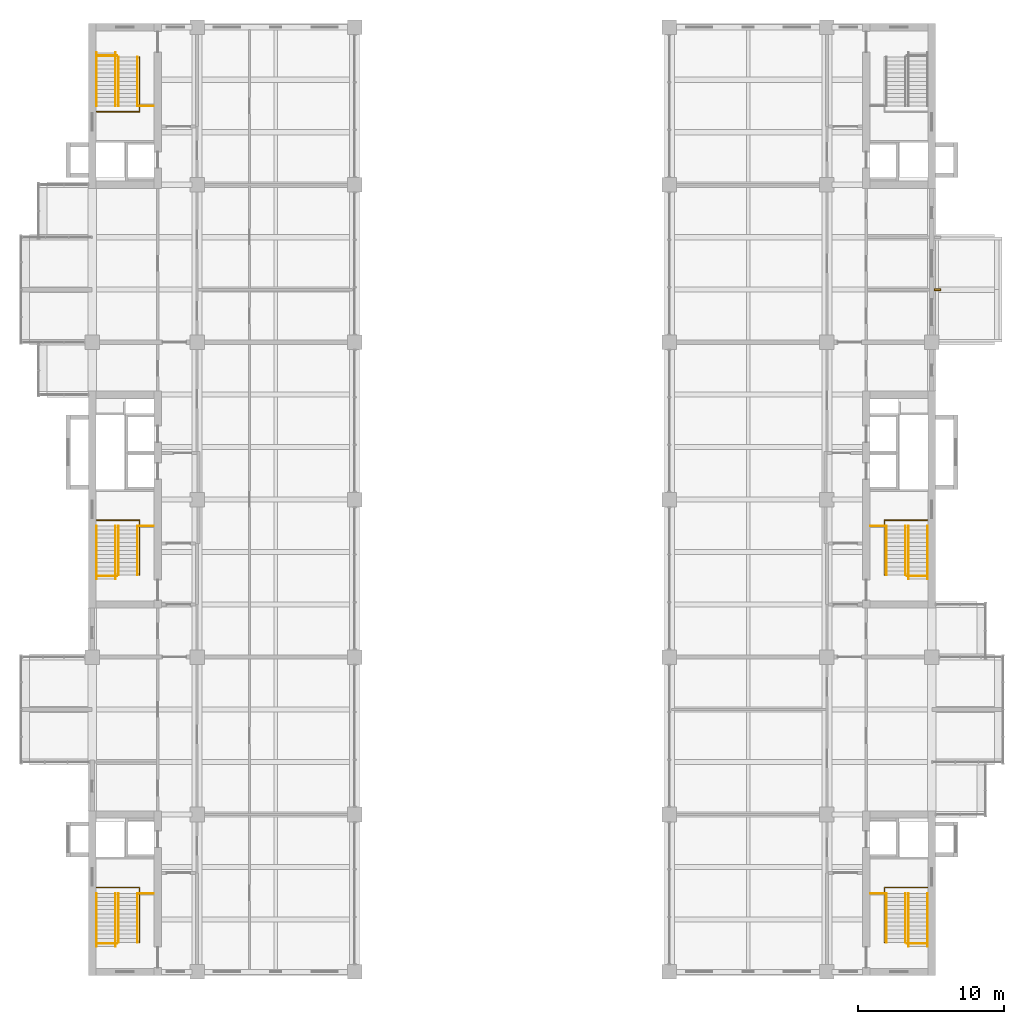
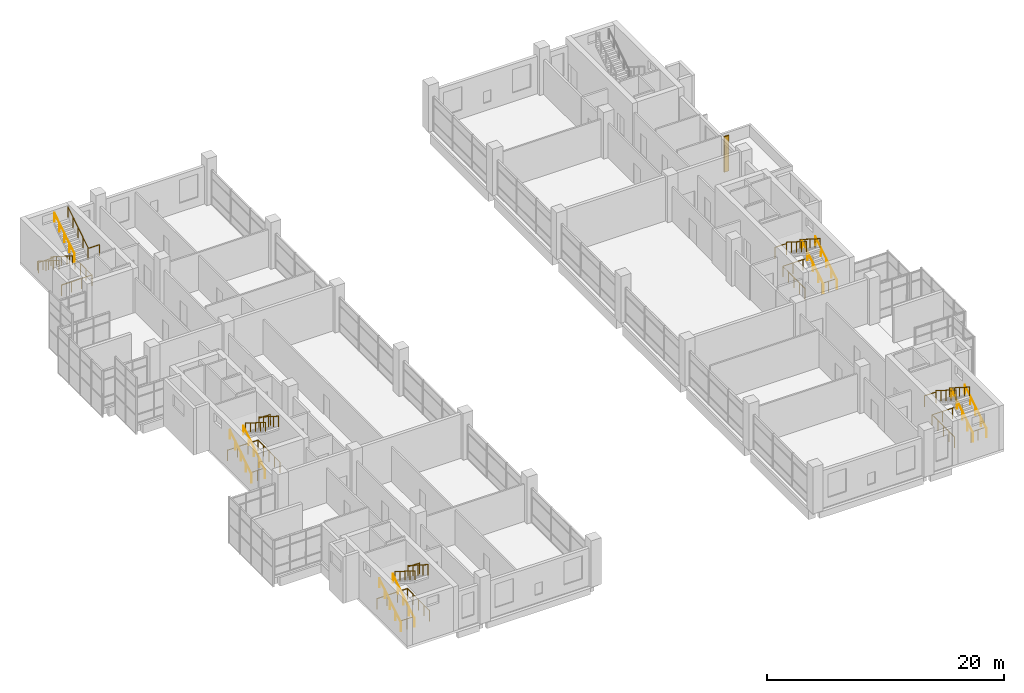
# One storey, part 29 of 30: 35 railings, 1 shading device.
"""IFC4 building model written with IfcOpenShell, lengths in metres."""

from ifc_helpers import new_model, si_unit, direction, frame, origin, origin_2d, place, context, subcontext, project, spatial, rectangle, circle, extrude, material, type_object, element, save


model = new_model("IFC4")

# Units and contexts
model_context = context("Model", 3, precision=1e-05, world=origin(), true_north=direction((0.0, 1.0)))
body_context = subcontext(model_context, "Body", "Model", "MODEL_VIEW")
ifc_project = project(units=[si_unit("LENGTHUNIT", "METRE"), si_unit("AREAUNIT", "SQUARE_METRE"), si_unit("VOLUMEUNIT", "CUBIC_METRE"), si_unit("PLANEANGLEUNIT", "RADIAN"), si_unit("MASSUNIT", "GRAM", prefix="KILO")], contexts=[model_context])

# Site, building, storey
site_placement = place(None, origin())
site = spatial("IfcSite", under=ifc_project, at=site_placement, CompositionType="ELEMENT")
building_placement = place(site_placement, origin())
building = spatial("IfcBuilding", under=site, at=building_placement, Name="Basin Gate Institute", CompositionType="ELEMENT")
storey_placement = place(building_placement, frame((0.0, 0.0, 36.60009765625)))
storey = spatial("IfcBuildingStorey", under=building, at=storey_placement, Name="L07", CompositionType="ELEMENT", Elevation=36.60009765625)

# Shading device
ifc_material_1 = material(Name="Anodised aluminium", Category="aluminium")
shading_device_type = type_object("IfcShadingDeviceType", Name="Brise-soleil fin FN1", PredefinedType="USERDEFINED", material=ifc_material_1)
shading_device_placement = place(storey_placement, frame((119.175048828125, 81.89990234375, 0.0), z_axis=(0.0, 0.0, 1.0), x_axis=(1.0, 0.0, 0.0)))
element("IfcShadingDevice", 1, at=shading_device_placement, inside=storey, type_object=shading_device_type, material=ifc_material_1, Name="Brise-soleil fin FN1 E facade L07 line 14", ObjectType="FIN", PredefinedType="USERDEFINED", context=body_context, shape_type="SweptSolid", body=[
    extrude(rectangle(XDim=0.449951171875, YDim=0.1201171875, at=origin_2d()), origin(), (0.0, 0.0, 1.0), 3.64990234375),
])

# Railings
ifc_material_2 = material(Name="Stainless steel", Category="steel")
railing_type_1 = type_object("IfcRailingType", Name="Stair guard GR1", PredefinedType="GUARDRAIL", material=ifc_material_2)
railing_1_placement = place(storey_placement, frame((64.449951171875, 37.1298828125, 0.0)))
element("IfcRailing", 2, at=railing_1_placement, inside=storey, type_object=railing_type_1, material=ifc_material_2, Name="Stair guard GR1 WS GD3-L06", PredefinedType="GUARDRAIL", context=body_context, shape_type="SweptSolid", body=[
    extrude(circle(Radius=0.02392578125, at=origin_2d()), frame((0.0, 0.0, 1.076171875), z_axis=(0.0, 1.0, 0.0), x_axis=(-1.0, 0.0, 0.0)), (0.0, 0.0, 1.0), 3.760009765625),
    extrude(circle(Radius=0.02392578125, at=origin_2d()), frame((0.0, 3.760009765625, 1.076171875), z_axis=(-1.0, 0.0, 0.0), x_axis=(0.0, -1.0, 0.0)), (0.0, 0.0, 1.0), 2.949951171875),
    extrude(circle(Radius=0.02099609375, at=origin_2d()), origin(), (0.0, 0.0, 1.0), 1.052001953125),
    extrude(circle(Radius=0.02099609375, at=origin_2d()), frame((0.0, 0.93994140625, 0.0)), (0.0, 0.0, 1.0), 1.052001953125),
    extrude(circle(Radius=0.02099609375, at=origin_2d()), frame((0.0, 1.8798828125, 0.0)), (0.0, 0.0, 1.0), 1.052001953125),
    extrude(circle(Radius=0.02099609375, at=origin_2d()), frame((0.0, 2.820068359375, 0.0)), (0.0, 0.0, 1.0), 1.052001953125),
    extrude(circle(Radius=0.02099609375, at=origin_2d()), frame((0.0, 3.760009765625, 0.0)), (0.0, 0.0, 1.0), 1.052001953125),
    extrude(circle(Radius=0.02099609375, at=origin_2d()), frame((-0.9833984375, 3.760009765625, 0.0)), (0.0, 0.0, 1.0), 1.052001953125),
    extrude(circle(Radius=0.02099609375, at=origin_2d()), frame((-1.966552734375, 3.760009765625, 0.0)), (0.0, 0.0, 1.0), 1.052001953125),
    extrude(circle(Radius=0.02099609375, at=origin_2d()), frame((-2.949951171875, 3.760009765625, 0.0)), (0.0, 0.0, 1.0), 1.052001953125),
])
railing_2_placement = place(storey_placement, frame((61.5, 37.050048828125, 0.0)))
element("IfcRailing", 3, at=railing_2_placement, inside=storey, type_object=railing_type_1, material=ifc_material_2, Name="Stair guard GR1 WS GD4-L06", PredefinedType="GUARDRAIL", context=body_context, shape_type="SweptSolid", body=[
    extrude(circle(Radius=0.02392578125, at=origin_2d()), frame((0.0, 0.0, 1.076171875), z_axis=(1.0, 0.0, 0.0), x_axis=(0.0, 1.0, 0.0)), (0.0, 0.0, 1.0), 1.39990234375),
    extrude(circle(Radius=0.02099609375, at=origin_2d()), origin(), (0.0, 0.0, 1.0), 1.052001953125),
    extrude(circle(Radius=0.02099609375, at=origin_2d()), frame((0.699951171875, 0.0, 0.0)), (0.0, 0.0, 1.0), 1.052001953125),
    extrude(circle(Radius=0.02099609375, at=origin_2d()), frame((1.39990234375, 0.0, 0.0)), (0.0, 0.0, 1.0), 1.052001953125),
])
railing_3_placement = place(storey_placement, frame((64.449951171875, 62.330078125, 0.0)))
element("IfcRailing", 4, at=railing_3_placement, inside=storey, type_object=railing_type_1, material=ifc_material_2, Name="Stair guard GR1 WM GD3-L06", PredefinedType="GUARDRAIL", context=body_context, shape_type="SweptSolid", body=[
    extrude(circle(Radius=0.02392578125, at=origin_2d()), frame((0.0, 0.0, 1.076171875), z_axis=(0.0, 1.0, 0.0), x_axis=(-1.0, 0.0, 0.0)), (0.0, 0.0, 1.0), 3.760009765625),
    extrude(circle(Radius=0.02392578125, at=origin_2d()), frame((0.0, 3.760009765625, 1.076171875), z_axis=(-1.0, 0.0, 0.0), x_axis=(0.0, -1.0, 0.0)), (0.0, 0.0, 1.0), 2.949951171875),
    extrude(circle(Radius=0.02099609375, at=origin_2d()), origin(), (0.0, 0.0, 1.0), 1.052001953125),
    extrude(circle(Radius=0.02099609375, at=origin_2d()), frame((0.0, 0.93994140625, 0.0)), (0.0, 0.0, 1.0), 1.052001953125),
    extrude(circle(Radius=0.02099609375, at=origin_2d()), frame((0.0, 1.8798828125, 0.0)), (0.0, 0.0, 1.0), 1.052001953125),
    extrude(circle(Radius=0.02099609375, at=origin_2d()), frame((0.0, 2.820068359375, 0.0)), (0.0, 0.0, 1.0), 1.052001953125),
    extrude(circle(Radius=0.02099609375, at=origin_2d()), frame((0.0, 3.760009765625, 0.0)), (0.0, 0.0, 1.0), 1.052001953125),
    extrude(circle(Radius=0.02099609375, at=origin_2d()), frame((-0.9833984375, 3.760009765625, 0.0)), (0.0, 0.0, 1.0), 1.052001953125),
    extrude(circle(Radius=0.02099609375, at=origin_2d()), frame((-1.966552734375, 3.760009765625, 0.0)), (0.0, 0.0, 1.0), 1.052001953125),
    extrude(circle(Radius=0.02099609375, at=origin_2d()), frame((-2.949951171875, 3.760009765625, 0.0)), (0.0, 0.0, 1.0), 1.052001953125),
])
railing_4_placement = place(storey_placement, frame((61.5, 62.25, 0.0)))
element("IfcRailing", 5, at=railing_4_placement, inside=storey, type_object=railing_type_1, material=ifc_material_2, Name="Stair guard GR1 WM GD4-L06", PredefinedType="GUARDRAIL", context=body_context, shape_type="SweptSolid", body=[
    extrude(circle(Radius=0.02392578125, at=origin_2d()), frame((0.0, 0.0, 1.076171875), z_axis=(1.0, 0.0, 0.0), x_axis=(0.0, 1.0, 0.0)), (0.0, 0.0, 1.0), 1.39990234375),
    extrude(circle(Radius=0.02099609375, at=origin_2d()), origin(), (0.0, 0.0, 1.0), 1.052001953125),
    extrude(circle(Radius=0.02099609375, at=origin_2d()), frame((0.699951171875, 0.0, 0.0)), (0.0, 0.0, 1.0), 1.052001953125),
    extrude(circle(Radius=0.02099609375, at=origin_2d()), frame((1.39990234375, 0.0, 0.0)), (0.0, 0.0, 1.0), 1.052001953125),
])
railing_5_placement = place(storey_placement, frame((64.449951171875, 97.8701171875, 0.0)))
element("IfcRailing", 6, at=railing_5_placement, inside=storey, type_object=railing_type_1, material=ifc_material_2, Name="Stair guard GR1 WN GD3-L06", PredefinedType="GUARDRAIL", context=body_context, shape_type="SweptSolid", body=[
    extrude(circle(Radius=0.02392578125, at=origin_2d()), frame((0.0, 0.0, 1.076171875), z_axis=(0.0, -1.0, 0.0), x_axis=(1.0, 0.0, 0.0)), (0.0, 0.0, 1.0), 3.760009765625),
    extrude(circle(Radius=0.02392578125, at=origin_2d()), frame((0.0, -3.760009765625, 1.076171875), z_axis=(-1.0, 0.0, 0.0), x_axis=(0.0, -1.0, 0.0)), (0.0, 0.0, 1.0), 2.949951171875),
    extrude(circle(Radius=0.02099609375, at=origin_2d()), origin(), (0.0, 0.0, 1.0), 1.052001953125),
    extrude(circle(Radius=0.02099609375, at=origin_2d()), frame((0.0, -0.93994140625, 0.0)), (0.0, 0.0, 1.0), 1.052001953125),
    extrude(circle(Radius=0.02099609375, at=origin_2d()), frame((0.0, -1.8798828125, 0.0)), (0.0, 0.0, 1.0), 1.052001953125),
    extrude(circle(Radius=0.02099609375, at=origin_2d()), frame((0.0, -2.820068359375, 0.0)), (0.0, 0.0, 1.0), 1.052001953125),
    extrude(circle(Radius=0.02099609375, at=origin_2d()), frame((0.0, -3.760009765625, 0.0)), (0.0, 0.0, 1.0), 1.052001953125),
    extrude(circle(Radius=0.02099609375, at=origin_2d()), frame((-0.9833984375, -3.760009765625, 0.0)), (0.0, 0.0, 1.0), 1.052001953125),
    extrude(circle(Radius=0.02099609375, at=origin_2d()), frame((-1.966552734375, -3.760009765625, 0.0)), (0.0, 0.0, 1.0), 1.052001953125),
    extrude(circle(Radius=0.02099609375, at=origin_2d()), frame((-2.949951171875, -3.760009765625, 0.0)), (0.0, 0.0, 1.0), 1.052001953125),
])
railing_6_placement = place(storey_placement, frame((61.5, 97.949951171875, 0.0)))
element("IfcRailing", 7, at=railing_6_placement, inside=storey, type_object=railing_type_1, material=ifc_material_2, Name="Stair guard GR1 WN GD4-L06", PredefinedType="GUARDRAIL", context=body_context, shape_type="SweptSolid", body=[
    extrude(circle(Radius=0.02392578125, at=origin_2d()), frame((0.0, 0.0, 1.076171875), z_axis=(1.0, 0.0, 0.0), x_axis=(0.0, 1.0, 0.0)), (0.0, 0.0, 1.0), 1.39990234375),
    extrude(circle(Radius=0.02099609375, at=origin_2d()), origin(), (0.0, 0.0, 1.0), 1.052001953125),
    extrude(circle(Radius=0.02099609375, at=origin_2d()), frame((0.699951171875, 0.0, 0.0)), (0.0, 0.0, 1.0), 1.052001953125),
    extrude(circle(Radius=0.02099609375, at=origin_2d()), frame((1.39990234375, 0.0, 0.0)), (0.0, 0.0, 1.0), 1.052001953125),
])
railing_7_placement = place(storey_placement, frame((115.550048828125, 37.1298828125, 0.0)))
element("IfcRailing", 8, at=railing_7_placement, inside=storey, type_object=railing_type_1, material=ifc_material_2, Name="Stair guard GR1 ES GD3-L06", PredefinedType="GUARDRAIL", context=body_context, shape_type="SweptSolid", body=[
    extrude(circle(Radius=0.02392578125, at=origin_2d()), frame((0.0, 0.0, 1.076171875), z_axis=(0.0, 1.0, 0.0), x_axis=(-1.0, 0.0, 0.0)), (0.0, 0.0, 1.0), 3.760009765625),
    extrude(circle(Radius=0.02392578125, at=origin_2d()), frame((0.0, 3.760009765625, 1.076171875), z_axis=(1.0, 0.0, 0.0), x_axis=(0.0, 1.0, 0.0)), (0.0, 0.0, 1.0), 2.949951171875),
    extrude(circle(Radius=0.02099609375, at=origin_2d()), origin(), (0.0, 0.0, 1.0), 1.052001953125),
    extrude(circle(Radius=0.02099609375, at=origin_2d()), frame((0.0, 0.93994140625, 0.0)), (0.0, 0.0, 1.0), 1.052001953125),
    extrude(circle(Radius=0.02099609375, at=origin_2d()), frame((0.0, 1.8798828125, 0.0)), (0.0, 0.0, 1.0), 1.052001953125),
    extrude(circle(Radius=0.02099609375, at=origin_2d()), frame((0.0, 2.820068359375, 0.0)), (0.0, 0.0, 1.0), 1.052001953125),
    extrude(circle(Radius=0.02099609375, at=origin_2d()), frame((0.0, 3.760009765625, 0.0)), (0.0, 0.0, 1.0), 1.052001953125),
    extrude(circle(Radius=0.02099609375, at=origin_2d()), frame((0.9833984375, 3.760009765625, 0.0)), (0.0, 0.0, 1.0), 1.052001953125),
    extrude(circle(Radius=0.02099609375, at=origin_2d()), frame((1.966552734375, 3.760009765625, 0.0)), (0.0, 0.0, 1.0), 1.052001953125),
    extrude(circle(Radius=0.02099609375, at=origin_2d()), frame((2.949951171875, 3.760009765625, 0.0)), (0.0, 0.0, 1.0), 1.052001953125),
])
railing_8_placement = place(storey_placement, frame((118.5, 37.050048828125, 0.0)))
element("IfcRailing", 9, at=railing_8_placement, inside=storey, type_object=railing_type_1, material=ifc_material_2, Name="Stair guard GR1 ES GD4-L06", PredefinedType="GUARDRAIL", context=body_context, shape_type="SweptSolid", body=[
    extrude(circle(Radius=0.02392578125, at=origin_2d()), frame((0.0, 0.0, 1.076171875), z_axis=(-1.0, 0.0, 0.0), x_axis=(0.0, -1.0, 0.0)), (0.0, 0.0, 1.0), 1.39990234375),
    extrude(circle(Radius=0.02099609375, at=origin_2d()), origin(), (0.0, 0.0, 1.0), 1.052001953125),
    extrude(circle(Radius=0.02099609375, at=origin_2d()), frame((-0.699951171875, 0.0, 0.0)), (0.0, 0.0, 1.0), 1.052001953125),
    extrude(circle(Radius=0.02099609375, at=origin_2d()), frame((-1.39990234375, 0.0, 0.0)), (0.0, 0.0, 1.0), 1.052001953125),
])
railing_9_placement = place(storey_placement, frame((115.550048828125, 62.330078125, 0.0)))
element("IfcRailing", 10, at=railing_9_placement, inside=storey, type_object=railing_type_1, material=ifc_material_2, Name="Stair guard GR1 EM GD3-L06", PredefinedType="GUARDRAIL", context=body_context, shape_type="SweptSolid", body=[
    extrude(circle(Radius=0.02392578125, at=origin_2d()), frame((0.0, 0.0, 1.076171875), z_axis=(0.0, 1.0, 0.0), x_axis=(-1.0, 0.0, 0.0)), (0.0, 0.0, 1.0), 3.760009765625),
    extrude(circle(Radius=0.02392578125, at=origin_2d()), frame((0.0, 3.760009765625, 1.076171875), z_axis=(1.0, 0.0, 0.0), x_axis=(0.0, 1.0, 0.0)), (0.0, 0.0, 1.0), 2.949951171875),
    extrude(circle(Radius=0.02099609375, at=origin_2d()), origin(), (0.0, 0.0, 1.0), 1.052001953125),
    extrude(circle(Radius=0.02099609375, at=origin_2d()), frame((0.0, 0.93994140625, 0.0)), (0.0, 0.0, 1.0), 1.052001953125),
    extrude(circle(Radius=0.02099609375, at=origin_2d()), frame((0.0, 1.8798828125, 0.0)), (0.0, 0.0, 1.0), 1.052001953125),
    extrude(circle(Radius=0.02099609375, at=origin_2d()), frame((0.0, 2.820068359375, 0.0)), (0.0, 0.0, 1.0), 1.052001953125),
    extrude(circle(Radius=0.02099609375, at=origin_2d()), frame((0.0, 3.760009765625, 0.0)), (0.0, 0.0, 1.0), 1.052001953125),
    extrude(circle(Radius=0.02099609375, at=origin_2d()), frame((0.9833984375, 3.760009765625, 0.0)), (0.0, 0.0, 1.0), 1.052001953125),
    extrude(circle(Radius=0.02099609375, at=origin_2d()), frame((1.966552734375, 3.760009765625, 0.0)), (0.0, 0.0, 1.0), 1.052001953125),
    extrude(circle(Radius=0.02099609375, at=origin_2d()), frame((2.949951171875, 3.760009765625, 0.0)), (0.0, 0.0, 1.0), 1.052001953125),
])
railing_10_placement = place(storey_placement, frame((118.5, 62.25, 0.0)))
element("IfcRailing", 11, at=railing_10_placement, inside=storey, type_object=railing_type_1, material=ifc_material_2, Name="Stair guard GR1 EM GD4-L06", PredefinedType="GUARDRAIL", context=body_context, shape_type="SweptSolid", body=[
    extrude(circle(Radius=0.02392578125, at=origin_2d()), frame((0.0, 0.0, 1.076171875), z_axis=(-1.0, 0.0, 0.0), x_axis=(0.0, -1.0, 0.0)), (0.0, 0.0, 1.0), 1.39990234375),
    extrude(circle(Radius=0.02099609375, at=origin_2d()), origin(), (0.0, 0.0, 1.0), 1.052001953125),
    extrude(circle(Radius=0.02099609375, at=origin_2d()), frame((-0.699951171875, 0.0, 0.0)), (0.0, 0.0, 1.0), 1.052001953125),
    extrude(circle(Radius=0.02099609375, at=origin_2d()), frame((-1.39990234375, 0.0, 0.0)), (0.0, 0.0, 1.0), 1.052001953125),
])
railing_11_placement = place(storey_placement, frame((64.300048828125, 40.489990234375, 2.66650390625)))
element("IfcRailing", 12, at=railing_11_placement, inside=storey, type_object=railing_type_1, material=ifc_material_2, Name="Stair guard GR1 WS GD1", PredefinedType="GUARDRAIL", context=body_context, shape_type="SweptSolid", body=[
    extrude(circle(Radius=0.02392578125, at=origin_2d()), frame((0.0, 0.0, 1.076171875), z_axis=(0.0, -0.844224270207, 0.535990094679), x_axis=(1.0, 0.0, 0.0)), (0.0, 0.0, 1.0), 3.980224609375),
    extrude(circle(Radius=0.02099609375, at=origin_2d()), origin(), (0.0, 0.0, 1.0), 1.052001953125),
    extrude(circle(Radius=0.02099609375, at=origin_2d()), frame((0.0, -0.840087890625, 0.533203125)), (0.0, 0.0, 1.0), 1.052001953125),
    extrude(circle(Radius=0.02099609375, at=origin_2d()), frame((0.0, -1.68017578125, 1.066650390625)), (0.0, 0.0, 1.0), 1.052001953125),
    extrude(circle(Radius=0.02099609375, at=origin_2d()), frame((0.0, -2.52001953125, 1.60009765625)), (0.0, 0.0, 1.0), 1.052001953125),
    extrude(circle(Radius=0.02099609375, at=origin_2d()), frame((0.0, -3.360107421875, 2.13330078125)), (0.0, 0.0, 1.0), 1.052001953125),
])
railing_12_placement = place(storey_placement, frame((64.300048828125, 65.68994140625, 2.66650390625)))
element("IfcRailing", 13, at=railing_12_placement, inside=storey, type_object=railing_type_1, material=ifc_material_2, Name="Stair guard GR1 WM GD1", PredefinedType="GUARDRAIL", context=body_context, shape_type="SweptSolid", body=[
    extrude(circle(Radius=0.02392578125, at=origin_2d()), frame((0.0, 0.0, 1.076171875), z_axis=(0.0, -0.844206646714, 0.536017851983), x_axis=(1.0, 0.0, 0.0)), (0.0, 0.0, 1.0), 3.97998046875),
    extrude(circle(Radius=0.02099609375, at=origin_2d()), origin(), (0.0, 0.0, 1.0), 1.052001953125),
    extrude(circle(Radius=0.02099609375, at=origin_2d()), frame((0.0, -0.83984375, 0.533203125)), (0.0, 0.0, 1.0), 1.052001953125),
    extrude(circle(Radius=0.02099609375, at=origin_2d()), frame((0.0, -1.679931640625, 1.066650390625)), (0.0, 0.0, 1.0), 1.052001953125),
    extrude(circle(Radius=0.02099609375, at=origin_2d()), frame((0.0, -2.52001953125, 1.60009765625)), (0.0, 0.0, 1.0), 1.052001953125),
    extrude(circle(Radius=0.02099609375, at=origin_2d()), frame((0.0, -3.35986328125, 2.13330078125)), (0.0, 0.0, 1.0), 1.052001953125),
])
railing_13_placement = place(storey_placement, frame((64.300048828125, 94.510009765625, 2.66650390625)))
element("IfcRailing", 14, at=railing_13_placement, inside=storey, type_object=railing_type_1, material=ifc_material_2, Name="Stair guard GR1 WN GD1", PredefinedType="GUARDRAIL", context=body_context, shape_type="SweptSolid", body=[
    extrude(circle(Radius=0.02392578125, at=origin_2d()), frame((0.0, 0.0, 1.076171875), z_axis=(0.0, 0.844224270207, 0.535990094679), x_axis=(-1.0, 0.0, 0.0)), (0.0, 0.0, 1.0), 3.980224609375),
    extrude(circle(Radius=0.02099609375, at=origin_2d()), origin(), (0.0, 0.0, 1.0), 1.052001953125),
    extrude(circle(Radius=0.02099609375, at=origin_2d()), frame((0.0, 0.840087890625, 0.533203125)), (0.0, 0.0, 1.0), 1.052001953125),
    extrude(circle(Radius=0.02099609375, at=origin_2d()), frame((0.0, 1.68017578125, 1.066650390625)), (0.0, 0.0, 1.0), 1.052001953125),
    extrude(circle(Radius=0.02099609375, at=origin_2d()), frame((0.0, 2.52001953125, 1.60009765625)), (0.0, 0.0, 1.0), 1.052001953125),
    extrude(circle(Radius=0.02099609375, at=origin_2d()), frame((0.0, 3.360107421875, 2.13330078125)), (0.0, 0.0, 1.0), 1.052001953125),
])
railing_14_placement = place(storey_placement, frame((115.699951171875, 40.489990234375, 2.66650390625)))
element("IfcRailing", 15, at=railing_14_placement, inside=storey, type_object=railing_type_1, material=ifc_material_2, Name="Stair guard GR1 ES GD1", PredefinedType="GUARDRAIL", context=body_context, shape_type="SweptSolid", body=[
    extrude(circle(Radius=0.02392578125, at=origin_2d()), frame((0.0, 0.0, 1.076171875), z_axis=(0.0, -0.844224270207, 0.535990094679), x_axis=(1.0, 0.0, 0.0)), (0.0, 0.0, 1.0), 3.980224609375),
    extrude(circle(Radius=0.02099609375, at=origin_2d()), origin(), (0.0, 0.0, 1.0), 1.052001953125),
    extrude(circle(Radius=0.02099609375, at=origin_2d()), frame((0.0, -0.840087890625, 0.533203125)), (0.0, 0.0, 1.0), 1.052001953125),
    extrude(circle(Radius=0.02099609375, at=origin_2d()), frame((0.0, -1.68017578125, 1.066650390625)), (0.0, 0.0, 1.0), 1.052001953125),
    extrude(circle(Radius=0.02099609375, at=origin_2d()), frame((0.0, -2.52001953125, 1.60009765625)), (0.0, 0.0, 1.0), 1.052001953125),
    extrude(circle(Radius=0.02099609375, at=origin_2d()), frame((0.0, -3.360107421875, 2.13330078125)), (0.0, 0.0, 1.0), 1.052001953125),
])
railing_15_placement = place(storey_placement, frame((115.699951171875, 65.68994140625, 2.66650390625)))
element("IfcRailing", 16, at=railing_15_placement, inside=storey, type_object=railing_type_1, material=ifc_material_2, Name="Stair guard GR1 EM GD1", PredefinedType="GUARDRAIL", context=body_context, shape_type="SweptSolid", body=[
    extrude(circle(Radius=0.02392578125, at=origin_2d()), frame((0.0, 0.0, 1.076171875), z_axis=(0.0, -0.844206646714, 0.536017851983), x_axis=(1.0, 0.0, 0.0)), (0.0, 0.0, 1.0), 3.97998046875),
    extrude(circle(Radius=0.02099609375, at=origin_2d()), origin(), (0.0, 0.0, 1.0), 1.052001953125),
    extrude(circle(Radius=0.02099609375, at=origin_2d()), frame((0.0, -0.83984375, 0.533203125)), (0.0, 0.0, 1.0), 1.052001953125),
    extrude(circle(Radius=0.02099609375, at=origin_2d()), frame((0.0, -1.679931640625, 1.066650390625)), (0.0, 0.0, 1.0), 1.052001953125),
    extrude(circle(Radius=0.02099609375, at=origin_2d()), frame((0.0, -2.52001953125, 1.60009765625)), (0.0, 0.0, 1.0), 1.052001953125),
    extrude(circle(Radius=0.02099609375, at=origin_2d()), frame((0.0, -3.35986328125, 2.13330078125)), (0.0, 0.0, 1.0), 1.052001953125),
])
ifc_material_3 = material(Name="Stainless steel", Category="steel")
railing_type_2 = type_object("IfcRailingType", Name="Stair guard GR3", PredefinedType="GUARDRAIL", material=ifc_material_3)
for number, where, name in (
    (17, (64.300048828125, 40.489990234375, 2.48876953125), "Stair guard GR3 WS GD2"),
    (18, (64.300048828125, 65.68994140625, 2.48876953125), "Stair guard GR3 WM GD2"),
    (19, (64.300048828125, 94.510009765625, 2.48876953125), "Stair guard GR3 WN GD2"),
):
    element("IfcRailing", number, at=place(storey_placement, frame(where)), inside=storey, type_object=railing_type_2, material=ifc_material_3, Name=name, PredefinedType="GUARDRAIL", context=body_context, shape_type="SweptSolid", body=[
        extrude(circle(Radius=0.02392578125, at=origin_2d()), frame((0.0, 0.0, 1.1259765625), z_axis=(1.0, 0.0, 0.0), x_axis=(0.0, 1.0, 0.0)), (0.0, 0.0, 1.0), 1.119873046875),
        extrude(circle(Radius=0.02099609375, at=origin_2d()), origin(), (0.0, 0.0, 1.0), 1.101806640625),
        extrude(circle(Radius=0.02099609375, at=origin_2d()), frame((1.119873046875, 0.0, 0.0)), (0.0, 0.0, 1.0), 1.101806640625),
    ])
for number, where, name in (
    (20, (115.699951171875, 40.489990234375, 2.48876953125), "Stair guard GR3 ES GD2"),
    (21, (115.699951171875, 65.68994140625, 2.48876953125), "Stair guard GR3 EM GD2"),
):
    element("IfcRailing", number, at=place(storey_placement, frame(where)), inside=storey, type_object=railing_type_2, material=ifc_material_3, Name=name, PredefinedType="GUARDRAIL", context=body_context, shape_type="SweptSolid", body=[
        extrude(circle(Radius=0.02392578125, at=origin_2d()), frame((0.0, 0.0, 1.1259765625), z_axis=(-1.0, 0.0, 0.0), x_axis=(0.0, -1.0, 0.0)), (0.0, 0.0, 1.0), 1.119873046875),
        extrude(circle(Radius=0.02099609375, at=origin_2d()), origin(), (0.0, 0.0, 1.0), 1.101806640625),
        extrude(circle(Radius=0.02099609375, at=origin_2d()), frame((-1.119873046875, 0.0, 0.0)), (0.0, 0.0, 1.0), 1.101806640625),
    ])
ifc_material_4 = material(Name="Stainless steel", Category="steel")
railing_type_3 = type_object("IfcRailingType", Name="Stair handrail HR1", PredefinedType="HANDRAIL", material=ifc_material_4)
for number, where, name in (
    (22, (61.5, 36.85009765625, 0.177734375), "Stair handrail HR1 WS HR1"),
    (23, (62.800048828125, 36.85009765625, 0.177734375), "Stair handrail HR1 WS HR2"),
):
    element("IfcRailing", number, at=place(storey_placement, frame(where)), inside=storey, type_object=railing_type_3, material=ifc_material_4, Name=name, PredefinedType="HANDRAIL", context=body_context, shape_type="SweptSolid", body=[
        extrude(circle(Radius=0.02392578125, at=origin_2d()), frame((0.0, 0.0, 0.89599609375), z_axis=(0.0, 0.84421362867, 0.536006855523), x_axis=(-1.0, 0.0, 0.0)), (0.0, 0.0, 1.0), 4.3115234375),
        extrude(circle(Radius=0.02099609375, at=origin_2d()), origin(), (0.0, 0.0, 1.0), 0.871826171875),
        extrude(circle(Radius=0.02099609375, at=origin_2d()), frame((0.0, 0.909912109375, 0.57763671875)), (0.0, 0.0, 1.0), 0.871826171875),
        extrude(circle(Radius=0.02099609375, at=origin_2d()), frame((0.0, 1.81982421875, 1.155517578125)), (0.0, 0.0, 1.0), 0.871826171875),
        extrude(circle(Radius=0.02099609375, at=origin_2d()), frame((0.0, 2.72998046875, 1.7333984375)), (0.0, 0.0, 1.0), 0.871826171875),
        extrude(circle(Radius=0.02099609375, at=origin_2d()), frame((0.0, 3.639892578125, 2.31103515625)), (0.0, 0.0, 1.0), 0.871826171875),
    ])
railing_16_placement = place(storey_placement, frame((63.0, 40.489990234375, 2.66650390625)))
element("IfcRailing", 24, at=railing_16_placement, inside=storey, type_object=railing_type_3, material=ifc_material_4, Name="Stair handrail HR1 WS HR3", PredefinedType="HANDRAIL", context=body_context, shape_type="SweptSolid", body=[
    extrude(circle(Radius=0.02392578125, at=origin_2d()), frame((0.0, 0.0, 0.89599609375), z_axis=(0.0, -0.844224270207, 0.535990094679), x_axis=(1.0, 0.0, 0.0)), (0.0, 0.0, 1.0), 3.980224609375),
    extrude(circle(Radius=0.02099609375, at=origin_2d()), origin(), (0.0, 0.0, 1.0), 0.871826171875),
    extrude(circle(Radius=0.02099609375, at=origin_2d()), frame((0.0, -0.840087890625, 0.533203125)), (0.0, 0.0, 1.0), 0.871826171875),
    extrude(circle(Radius=0.02099609375, at=origin_2d()), frame((0.0, -1.68017578125, 1.066650390625)), (0.0, 0.0, 1.0), 0.871826171875),
    extrude(circle(Radius=0.02099609375, at=origin_2d()), frame((0.0, -2.52001953125, 1.60009765625)), (0.0, 0.0, 1.0), 0.871826171875),
    extrude(circle(Radius=0.02099609375, at=origin_2d()), frame((0.0, -3.360107421875, 2.13330078125)), (0.0, 0.0, 1.0), 0.871826171875),
])
for number, where, name in (
    (25, (61.5, 62.050048828125, 0.177734375), "Stair handrail HR1 WM HR1"),
    (26, (62.800048828125, 62.050048828125, 0.177734375), "Stair handrail HR1 WM HR2"),
):
    element("IfcRailing", number, at=place(storey_placement, frame(where)), inside=storey, type_object=railing_type_3, material=ifc_material_4, Name=name, PredefinedType="HANDRAIL", context=body_context, shape_type="SweptSolid", body=[
        extrude(circle(Radius=0.02392578125, at=origin_2d()), frame((0.0, 0.0, 0.89599609375), z_axis=(0.0, 0.84421362867, 0.536006855523), x_axis=(-1.0, 0.0, 0.0)), (0.0, 0.0, 1.0), 4.3115234375),
        extrude(circle(Radius=0.02099609375, at=origin_2d()), origin(), (0.0, 0.0, 1.0), 0.871826171875),
        extrude(circle(Radius=0.02099609375, at=origin_2d()), frame((0.0, 0.909912109375, 0.57763671875)), (0.0, 0.0, 1.0), 0.871826171875),
        extrude(circle(Radius=0.02099609375, at=origin_2d()), frame((0.0, 1.81982421875, 1.155517578125)), (0.0, 0.0, 1.0), 0.871826171875),
        extrude(circle(Radius=0.02099609375, at=origin_2d()), frame((0.0, 2.72998046875, 1.7333984375)), (0.0, 0.0, 1.0), 0.871826171875),
        extrude(circle(Radius=0.02099609375, at=origin_2d()), frame((0.0, 3.639892578125, 2.31103515625)), (0.0, 0.0, 1.0), 0.871826171875),
    ])
railing_17_placement = place(storey_placement, frame((63.0, 65.68994140625, 2.66650390625)))
element("IfcRailing", 27, at=railing_17_placement, inside=storey, type_object=railing_type_3, material=ifc_material_4, Name="Stair handrail HR1 WM HR3", PredefinedType="HANDRAIL", context=body_context, shape_type="SweptSolid", body=[
    extrude(circle(Radius=0.02392578125, at=origin_2d()), frame((0.0, 0.0, 0.89599609375), z_axis=(0.0, -0.844206646714, 0.536017851983), x_axis=(1.0, 0.0, 0.0)), (0.0, 0.0, 1.0), 3.97998046875),
    extrude(circle(Radius=0.02099609375, at=origin_2d()), origin(), (0.0, 0.0, 1.0), 0.871826171875),
    extrude(circle(Radius=0.02099609375, at=origin_2d()), frame((0.0, -0.83984375, 0.533203125)), (0.0, 0.0, 1.0), 0.871826171875),
    extrude(circle(Radius=0.02099609375, at=origin_2d()), frame((0.0, -1.679931640625, 1.066650390625)), (0.0, 0.0, 1.0), 0.871826171875),
    extrude(circle(Radius=0.02099609375, at=origin_2d()), frame((0.0, -2.52001953125, 1.60009765625)), (0.0, 0.0, 1.0), 0.871826171875),
    extrude(circle(Radius=0.02099609375, at=origin_2d()), frame((0.0, -3.35986328125, 2.13330078125)), (0.0, 0.0, 1.0), 0.871826171875),
])
for number, where, name in (
    (28, (61.5, 98.14990234375, 0.177734375), "Stair handrail HR1 WN HR1"),
    (29, (62.800048828125, 98.14990234375, 0.177734375), "Stair handrail HR1 WN HR2"),
):
    element("IfcRailing", number, at=place(storey_placement, frame(where)), inside=storey, type_object=railing_type_3, material=ifc_material_4, Name=name, PredefinedType="HANDRAIL", context=body_context, shape_type="SweptSolid", body=[
        extrude(circle(Radius=0.02392578125, at=origin_2d()), frame((0.0, 0.0, 0.89599609375), z_axis=(0.0, -0.84421362867, 0.536006855523), x_axis=(1.0, 0.0, 0.0)), (0.0, 0.0, 1.0), 4.3115234375),
        extrude(circle(Radius=0.02099609375, at=origin_2d()), origin(), (0.0, 0.0, 1.0), 0.871826171875),
        extrude(circle(Radius=0.02099609375, at=origin_2d()), frame((0.0, -0.909912109375, 0.57763671875)), (0.0, 0.0, 1.0), 0.871826171875),
        extrude(circle(Radius=0.02099609375, at=origin_2d()), frame((0.0, -1.81982421875, 1.155517578125)), (0.0, 0.0, 1.0), 0.871826171875),
        extrude(circle(Radius=0.02099609375, at=origin_2d()), frame((0.0, -2.72998046875, 1.7333984375)), (0.0, 0.0, 1.0), 0.871826171875),
        extrude(circle(Radius=0.02099609375, at=origin_2d()), frame((0.0, -3.639892578125, 2.31103515625)), (0.0, 0.0, 1.0), 0.871826171875),
    ])
railing_18_placement = place(storey_placement, frame((63.0, 94.510009765625, 2.66650390625)))
element("IfcRailing", 30, at=railing_18_placement, inside=storey, type_object=railing_type_3, material=ifc_material_4, Name="Stair handrail HR1 WN HR3", PredefinedType="HANDRAIL", context=body_context, shape_type="SweptSolid", body=[
    extrude(circle(Radius=0.02392578125, at=origin_2d()), frame((0.0, 0.0, 0.89599609375), z_axis=(0.0, 0.844224270207, 0.535990094679), x_axis=(-1.0, 0.0, 0.0)), (0.0, 0.0, 1.0), 3.980224609375),
    extrude(circle(Radius=0.02099609375, at=origin_2d()), origin(), (0.0, 0.0, 1.0), 0.871826171875),
    extrude(circle(Radius=0.02099609375, at=origin_2d()), frame((0.0, 0.840087890625, 0.533203125)), (0.0, 0.0, 1.0), 0.871826171875),
    extrude(circle(Radius=0.02099609375, at=origin_2d()), frame((0.0, 1.68017578125, 1.066650390625)), (0.0, 0.0, 1.0), 0.871826171875),
    extrude(circle(Radius=0.02099609375, at=origin_2d()), frame((0.0, 2.52001953125, 1.60009765625)), (0.0, 0.0, 1.0), 0.871826171875),
    extrude(circle(Radius=0.02099609375, at=origin_2d()), frame((0.0, 3.360107421875, 2.13330078125)), (0.0, 0.0, 1.0), 0.871826171875),
])
for number, where, name in (
    (31, (118.5, 36.85009765625, 0.177734375), "Stair handrail HR1 ES HR1"),
    (32, (117.199951171875, 36.85009765625, 0.177734375), "Stair handrail HR1 ES HR2"),
):
    element("IfcRailing", number, at=place(storey_placement, frame(where)), inside=storey, type_object=railing_type_3, material=ifc_material_4, Name=name, PredefinedType="HANDRAIL", context=body_context, shape_type="SweptSolid", body=[
        extrude(circle(Radius=0.02392578125, at=origin_2d()), frame((0.0, 0.0, 0.89599609375), z_axis=(0.0, 0.84421362867, 0.536006855523), x_axis=(-1.0, 0.0, 0.0)), (0.0, 0.0, 1.0), 4.3115234375),
        extrude(circle(Radius=0.02099609375, at=origin_2d()), origin(), (0.0, 0.0, 1.0), 0.871826171875),
        extrude(circle(Radius=0.02099609375, at=origin_2d()), frame((0.0, 0.909912109375, 0.57763671875)), (0.0, 0.0, 1.0), 0.871826171875),
        extrude(circle(Radius=0.02099609375, at=origin_2d()), frame((0.0, 1.81982421875, 1.155517578125)), (0.0, 0.0, 1.0), 0.871826171875),
        extrude(circle(Radius=0.02099609375, at=origin_2d()), frame((0.0, 2.72998046875, 1.7333984375)), (0.0, 0.0, 1.0), 0.871826171875),
        extrude(circle(Radius=0.02099609375, at=origin_2d()), frame((0.0, 3.639892578125, 2.31103515625)), (0.0, 0.0, 1.0), 0.871826171875),
    ])
railing_19_placement = place(storey_placement, frame((117.0, 40.489990234375, 2.66650390625)))
element("IfcRailing", 33, at=railing_19_placement, inside=storey, type_object=railing_type_3, material=ifc_material_4, Name="Stair handrail HR1 ES HR3", PredefinedType="HANDRAIL", context=body_context, shape_type="SweptSolid", body=[
    extrude(circle(Radius=0.02392578125, at=origin_2d()), frame((0.0, 0.0, 0.89599609375), z_axis=(0.0, -0.844224270207, 0.535990094679), x_axis=(1.0, 0.0, 0.0)), (0.0, 0.0, 1.0), 3.980224609375),
    extrude(circle(Radius=0.02099609375, at=origin_2d()), origin(), (0.0, 0.0, 1.0), 0.871826171875),
    extrude(circle(Radius=0.02099609375, at=origin_2d()), frame((0.0, -0.840087890625, 0.533203125)), (0.0, 0.0, 1.0), 0.871826171875),
    extrude(circle(Radius=0.02099609375, at=origin_2d()), frame((0.0, -1.68017578125, 1.066650390625)), (0.0, 0.0, 1.0), 0.871826171875),
    extrude(circle(Radius=0.02099609375, at=origin_2d()), frame((0.0, -2.52001953125, 1.60009765625)), (0.0, 0.0, 1.0), 0.871826171875),
    extrude(circle(Radius=0.02099609375, at=origin_2d()), frame((0.0, -3.360107421875, 2.13330078125)), (0.0, 0.0, 1.0), 0.871826171875),
])
for number, where, name in (
    (34, (118.5, 62.050048828125, 0.177734375), "Stair handrail HR1 EM HR1"),
    (35, (117.199951171875, 62.050048828125, 0.177734375), "Stair handrail HR1 EM HR2"),
):
    element("IfcRailing", number, at=place(storey_placement, frame(where)), inside=storey, type_object=railing_type_3, material=ifc_material_4, Name=name, PredefinedType="HANDRAIL", context=body_context, shape_type="SweptSolid", body=[
        extrude(circle(Radius=0.02392578125, at=origin_2d()), frame((0.0, 0.0, 0.89599609375), z_axis=(0.0, 0.84421362867, 0.536006855523), x_axis=(-1.0, 0.0, 0.0)), (0.0, 0.0, 1.0), 4.3115234375),
        extrude(circle(Radius=0.02099609375, at=origin_2d()), origin(), (0.0, 0.0, 1.0), 0.871826171875),
        extrude(circle(Radius=0.02099609375, at=origin_2d()), frame((0.0, 0.909912109375, 0.57763671875)), (0.0, 0.0, 1.0), 0.871826171875),
        extrude(circle(Radius=0.02099609375, at=origin_2d()), frame((0.0, 1.81982421875, 1.155517578125)), (0.0, 0.0, 1.0), 0.871826171875),
        extrude(circle(Radius=0.02099609375, at=origin_2d()), frame((0.0, 2.72998046875, 1.7333984375)), (0.0, 0.0, 1.0), 0.871826171875),
        extrude(circle(Radius=0.02099609375, at=origin_2d()), frame((0.0, 3.639892578125, 2.31103515625)), (0.0, 0.0, 1.0), 0.871826171875),
    ])
railing_20_placement = place(storey_placement, frame((117.0, 65.68994140625, 2.66650390625)))
element("IfcRailing", 36, at=railing_20_placement, inside=storey, type_object=railing_type_3, material=ifc_material_4, Name="Stair handrail HR1 EM HR3", PredefinedType="HANDRAIL", context=body_context, shape_type="SweptSolid", body=[
    extrude(circle(Radius=0.02392578125, at=origin_2d()), frame((0.0, 0.0, 0.89599609375), z_axis=(0.0, -0.844206646714, 0.536017851983), x_axis=(1.0, 0.0, 0.0)), (0.0, 0.0, 1.0), 3.97998046875),
    extrude(circle(Radius=0.02099609375, at=origin_2d()), origin(), (0.0, 0.0, 1.0), 0.871826171875),
    extrude(circle(Radius=0.02099609375, at=origin_2d()), frame((0.0, -0.83984375, 0.533203125)), (0.0, 0.0, 1.0), 0.871826171875),
    extrude(circle(Radius=0.02099609375, at=origin_2d()), frame((0.0, -1.679931640625, 1.066650390625)), (0.0, 0.0, 1.0), 0.871826171875),
    extrude(circle(Radius=0.02099609375, at=origin_2d()), frame((0.0, -2.52001953125, 1.60009765625)), (0.0, 0.0, 1.0), 0.871826171875),
    extrude(circle(Radius=0.02099609375, at=origin_2d()), frame((0.0, -3.35986328125, 2.13330078125)), (0.0, 0.0, 1.0), 0.871826171875),
])

save(model, "model.ifc")
